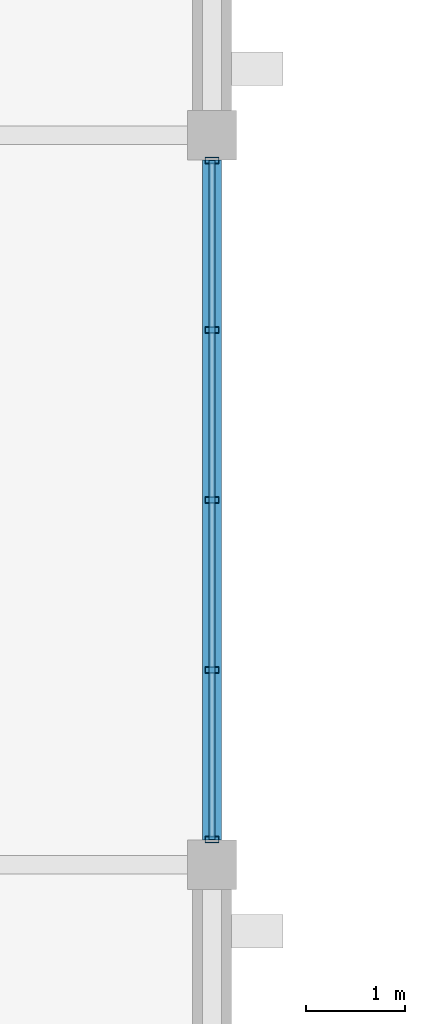
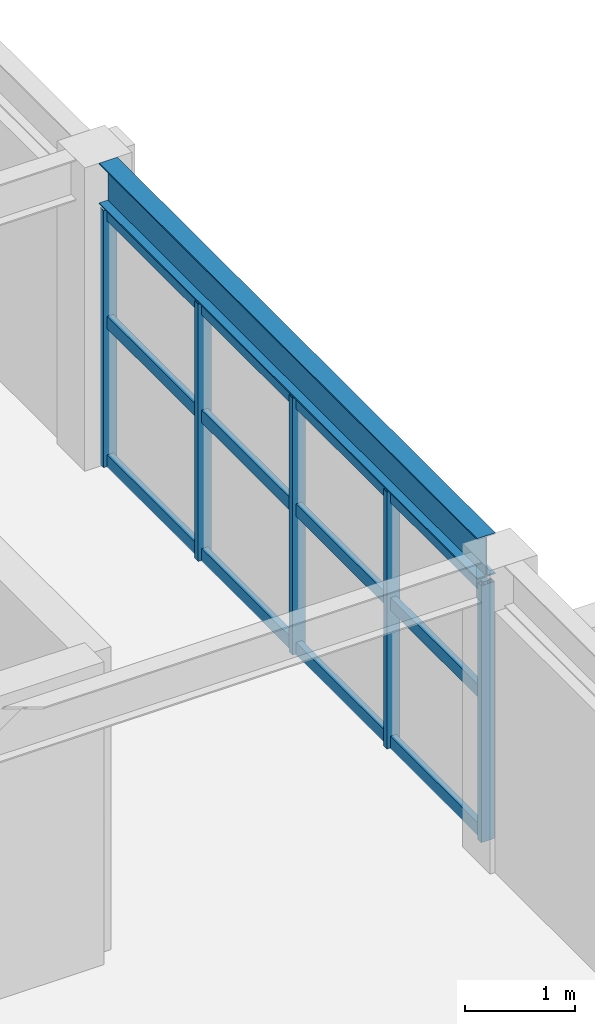
# One storey, part 64 of 93: 8 members, 1 beam, 1 element without a shape of its own.
"""IFC4 building model written with IfcOpenShell, lengths in metres."""

from ifc_helpers import new_model, si_unit, direction, frame, origin, origin_2d, place, context, subcontext, project, spatial, hollow_rectangle, i_section, extrude, material, material_profile, profile_set, type_object, element, aggregate, save


model = new_model("IFC4")

# Units and contexts
model_context = context("Model", 3, precision=1e-05, world=origin(), true_north=direction((0.0, 1.0)))
body_context = subcontext(model_context, "Body", "Model", "MODEL_VIEW")
ifc_project = project(units=[si_unit("LENGTHUNIT", "METRE"), si_unit("AREAUNIT", "SQUARE_METRE"), si_unit("VOLUMEUNIT", "CUBIC_METRE"), si_unit("PLANEANGLEUNIT", "RADIAN"), si_unit("MASSUNIT", "GRAM", prefix="KILO")], contexts=[model_context])

# Site, building, storey
site_placement = place(None, origin())
site = spatial("IfcSite", under=ifc_project, at=site_placement, CompositionType="ELEMENT")
building_placement = place(site_placement, origin())
building = spatial("IfcBuilding", under=site, at=building_placement, Name="Cimatlan Art Gallery", CompositionType="ELEMENT")
storey_placement = place(building_placement, frame((0.0, 0.0, 13.800048828125)))
storey = spatial("IfcBuildingStorey", under=building, at=storey_placement, Name="L03", CompositionType="ELEMENT", Elevation=13.800048828125)

# Beam
ifc_material_1 = material(Name="Steel ASTM A992 Grade 50", Category="steel")
ifc_material_profile_1 = material_profile(ifc_material_1, i_section(OverallWidth=0.19091796875, OverallDepth=0.45703125, WebThickness=0.009033203125, FlangeThickness=0.014404296875, at=origin_2d()), Name="W18X50")
ifc_profile_set_1 = profile_set([ifc_material_profile_1], Name="Steel ASTM A992 Grade 50")
beam_type = type_object("IfcBeamType", Name="BM-STL-W18X50", PredefinedType="BEAM", material=ifc_profile_set_1)
beam_placement = place(storey_placement, frame((131.60009765625, 46.35009765625, 3.1513671875), z_axis=(0.0, 1.0, 0.0), x_axis=(-1.0, 0.0, 0.0)))
element("IfcBeam", 1, at=beam_placement, inside=storey, type_object=beam_type, Name="BM-Y-L03-16-06", PredefinedType="BEAM", context=body_context, shape_type="SweptSolid", body=[
    extrude(i_section(OverallWidth=0.19091796875, OverallDepth=0.45703125, WebThickness=0.009033203125, FlangeThickness=0.014404296875, at=origin_2d()), origin(), (0.0, 0.0, 1.0), 6.89990234375),
])

# Curtain wall, members
ifc_material_2 = material(Name="Anodised bronze unitised curtain wall")
curtain_wall_type = type_object("IfcCurtainWallType", Name="CW-V-06892X02863-B4", PredefinedType="NOTDEFINED", material=ifc_material_2)
curtain_wall_placement = place(storey_placement, origin())
curtain_wall = element("IfcCurtainWall", 2, at=curtain_wall_placement, inside=storey, type_object=curtain_wall_type, Name="CW-L03-15-06-E", PredefinedType="NOTDEFINED")
ifc_material_3 = material(Name="Anodised bronze aluminium 6063-T6", Category="aluminium")
ifc_material_profile_2 = material_profile(ifc_material_3, hollow_rectangle(XDim=0.06494140625, YDim=0.139892578125, WallThickness=0.00390625, at=origin_2d()), Name="ALU65X140X4")
ifc_profile_set_2 = profile_set([ifc_material_profile_2], Name="Anodised bronze aluminium 6063-T6")
member_type_1 = type_object("IfcMemberType", Name="CW-MUL-140", PredefinedType="MULLION", material=ifc_profile_set_2)
member_1_placement = place(storey_placement, frame((131.60009765625, 53.24609375, 0.0), z_axis=(0.0, 0.0, 1.0), x_axis=(0.0, 1.0, 0.0)))
member_1 = element("IfcMember", 3, at=member_1_placement, type_object=member_type_1, Name="CW-L03-15-06-E-M1", PredefinedType="MULLION", context=body_context, shape_type="SweptSolid", body=[
    extrude(hollow_rectangle(XDim=0.06494140625, YDim=0.139892578125, WallThickness=0.00390625, at=origin_2d()), origin(), (0.0, 0.0, 1.0), 2.863037109375),
])
member_2_placement = place(storey_placement, frame((131.60009765625, 51.52294921875, 0.0), z_axis=(0.0, 0.0, 1.0), x_axis=(0.0, 1.0, 0.0)))
member_2 = element("IfcMember", 4, at=member_2_placement, type_object=member_type_1, Name="CW-L03-15-06-E-M2", PredefinedType="MULLION", context=body_context, shape_type="SweptSolid", body=[
    extrude(hollow_rectangle(XDim=0.06494140625, YDim=0.139892578125, WallThickness=0.00390625, at=origin_2d()), origin(), (0.0, 0.0, 1.0), 2.863037109375),
])
member_3_placement = place(storey_placement, frame((131.60009765625, 49.800048828125, 0.0), z_axis=(0.0, 0.0, 1.0), x_axis=(0.0, 1.0, 0.0)))
member_3 = element("IfcMember", 5, at=member_3_placement, type_object=member_type_1, Name="CW-L03-15-06-E-M3", PredefinedType="MULLION", context=body_context, shape_type="SweptSolid", body=[
    extrude(hollow_rectangle(XDim=0.06494140625, YDim=0.139892578125, WallThickness=0.00390625, at=origin_2d()), origin(), (0.0, 0.0, 1.0), 2.863037109375),
])
member_4_placement = place(storey_placement, frame((131.60009765625, 48.076904296875, 0.0), z_axis=(0.0, 0.0, 1.0), x_axis=(0.0, 1.0, 0.0)))
member_4 = element("IfcMember", 6, at=member_4_placement, type_object=member_type_1, Name="CW-L03-15-06-E-M4", PredefinedType="MULLION", context=body_context, shape_type="SweptSolid", body=[
    extrude(hollow_rectangle(XDim=0.06494140625, YDim=0.139892578125, WallThickness=0.00390625, at=origin_2d()), origin(), (0.0, 0.0, 1.0), 2.863037109375),
])
member_5_placement = place(storey_placement, frame((131.60009765625, 46.35400390625, 0.0), z_axis=(0.0, 0.0, 1.0), x_axis=(0.0, 1.0, 0.0)))
member_5 = element("IfcMember", 7, at=member_5_placement, type_object=member_type_1, Name="CW-L03-15-06-E-M5", PredefinedType="MULLION", context=body_context, shape_type="SweptSolid", body=[
    extrude(hollow_rectangle(XDim=0.06494140625, YDim=0.139892578125, WallThickness=0.00390625, at=origin_2d()), origin(), (0.0, 0.0, 1.0), 2.863037109375),
])
ifc_material_profile_3 = material_profile(ifc_material_3, hollow_rectangle(XDim=0.06494140625, YDim=0.139892578125, WallThickness=0.00390625, at=origin_2d()), Name="ALU65X140X4")
ifc_profile_set_3 = profile_set([ifc_material_profile_3], Name="Anodised bronze aluminium 6063-T6")
member_type_2 = type_object("IfcMemberType", Name="CW-TRN-140", PredefinedType="USERDEFINED", material=ifc_profile_set_3)
member_6_placement = place(storey_placement, frame((131.60009765625, 53.24609375, 0.06005859375), z_axis=(0.0, -1.0, 0.0), x_axis=(1.0, 0.0, 0.0)))
member_6 = element("IfcMember", 8, at=member_6_placement, type_object=member_type_2, Name="CW-L03-15-06-E-T1", ObjectType="TRANSOM", PredefinedType="USERDEFINED", context=body_context, shape_type="SweptSolid", body=[
    extrude(hollow_rectangle(XDim=0.06494140625, YDim=0.139892578125, WallThickness=0.00390625, at=origin_2d()), origin(), (0.0, 0.0, 1.0), 6.89208984375),
])
member_7_placement = place(storey_placement, frame((131.60009765625, 53.24609375, 1.603271484375), z_axis=(0.0, -1.0, 0.0), x_axis=(1.0, 0.0, 0.0)))
member_7 = element("IfcMember", 9, at=member_7_placement, type_object=member_type_2, Name="CW-L03-15-06-E-T2", ObjectType="TRANSOM", PredefinedType="USERDEFINED", context=body_context, shape_type="SweptSolid", body=[
    extrude(hollow_rectangle(XDim=0.06494140625, YDim=0.139892578125, WallThickness=0.00390625, at=origin_2d()), origin(), (0.0, 0.0, 1.0), 6.89208984375),
])
member_8_placement = place(storey_placement, frame((131.60009765625, 53.24609375, 2.802978515625), z_axis=(0.0, -1.0, 0.0), x_axis=(1.0, 0.0, 0.0)))
member_8 = element("IfcMember", 10, at=member_8_placement, type_object=member_type_2, Name="CW-L03-15-06-E-T3", ObjectType="TRANSOM", PredefinedType="USERDEFINED", context=body_context, shape_type="SweptSolid", body=[
    extrude(hollow_rectangle(XDim=0.06494140625, YDim=0.139892578125, WallThickness=0.00390625, at=origin_2d()), origin(), (0.0, 0.0, 1.0), 6.89208984375),
])
aggregate(curtain_wall, [member_1, member_2, member_3, member_4, member_5, member_6, member_7, member_8])

save(model, "model.ifc")
